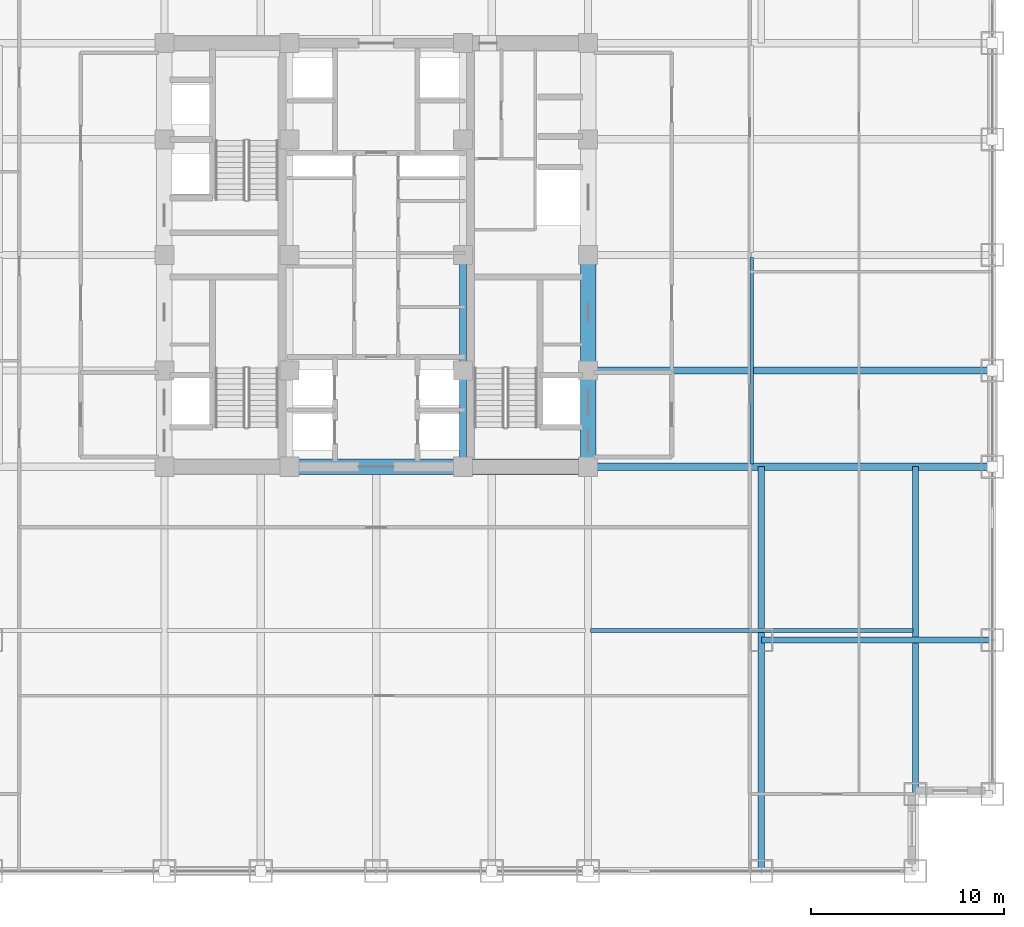
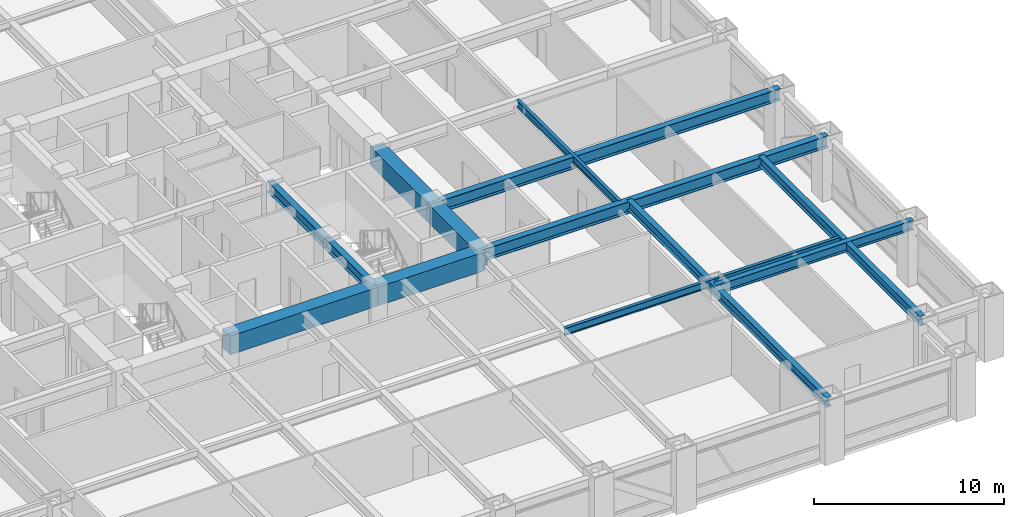
# One storey, part 7 of 28: 13 beams.
"""IFC4 building model written with IfcOpenShell, lengths in metres."""

from ifc_helpers import new_model, si_unit, direction, frame, origin, origin_2d, place, context, subcontext, project, spatial, rectangle, i_section, extrude, source, transform, mapped, material, material_profile, profile_set, type_object, element, save


model = new_model("IFC4")

# Units and contexts
model_context = context("Model", 3, precision=1e-05, world=origin(), true_north=direction((0.0, 1.0)))
body_context = subcontext(model_context, "Body", "Model", "MODEL_VIEW")
ifc_project = project(units=[si_unit("LENGTHUNIT", "METRE"), si_unit("AREAUNIT", "SQUARE_METRE"), si_unit("VOLUMEUNIT", "CUBIC_METRE"), si_unit("PLANEANGLEUNIT", "RADIAN"), si_unit("MASSUNIT", "GRAM", prefix="KILO")], contexts=[model_context])

# Site, building, storey
site_placement = place(None, origin())
site = spatial("IfcSite", under=ifc_project, at=site_placement, CompositionType="ELEMENT")
building_placement = place(site_placement, origin())
building = spatial("IfcBuilding", under=site, at=building_placement, Name="Khorayat Bourse Tower", CompositionType="ELEMENT")
storey_placement = place(building_placement, frame((0.0, 0.0, 120.10009765625)))
storey = spatial("IfcBuildingStorey", under=building, at=storey_placement, Name="L27", CompositionType="ELEMENT", Elevation=120.10009765625)

# Beams
ifc_material_1 = material(Name="Concrete C72/90", Category="concrete")
ifc_material_profile_1 = material_profile(ifc_material_1, rectangle(XDim=0.800048828125, YDim=1.199951171875, at=origin_2d()), Name="RC 800x1200")
ifc_profile_set_1 = profile_set([ifc_material_profile_1], Name="Concrete C72/90")
beam_type_1 = type_object("IfcBeamType", Name="BM-COUP-1200", PredefinedType="BEAM", material=ifc_profile_set_1)
shared_shape_1 = source(origin(), body_context, "Body", "SweptSolid", [
    extrude(rectangle(XDim=0.800048828125, YDim=1.199951171875, at=origin_2d()), origin(), (0.0, 0.0, 1.0), 5.0),
])
beam_1_placement = place(storey_placement, frame((11.0, -11.0, 3.239990234375), z_axis=(0.0, 1.0, 0.0), x_axis=(-1.0, 0.0, 0.0)))
element("IfcBeam", 1, at=beam_1_placement, inside=storey, type_object=beam_type_1, Name="L27 BM-COUP-1200 BM-L27-CRX-13", PredefinedType="BEAM", context=body_context, shape_type="MappedRepresentation", body=[
    mapped(shared_shape_1, transform((0.0, 0.0, 0.0), scale=1.0)),
])
shared_shape_2 = source(origin(), body_context, "Body", "SweptSolid", [
    extrude(rectangle(XDim=0.800048828125, YDim=1.199951171875, at=origin_2d()), origin(), (0.0, 0.0, 1.0), 6.0),
])
beam_2_placement = place(storey_placement, frame((11.0, -6.0, 3.239990234375), z_axis=(0.0, 1.0, 0.0), x_axis=(-1.0, 0.0, 0.0)))
element("IfcBeam", 2, at=beam_2_placement, inside=storey, type_object=beam_type_1, Name="L27 BM-COUP-1200 BM-L27-CRX-14", PredefinedType="BEAM", context=body_context, shape_type="MappedRepresentation", body=[
    mapped(shared_shape_2, transform((0.0, 0.0, 0.0), scale=1.0)),
])
ifc_material_2 = material(Name="Steel ASTM A992 Grade 50", Category="steel")
ifc_material_profile_2 = material_profile(ifc_material_2, i_section(OverallWidth=0.35498046875, OverallDepth=0.695068359375, WebThickness=0.015380859375, FlangeThickness=0.02490234375, FilletRadius=0.01806640625, at=origin_2d()), Name="W690X217")
ifc_profile_set_2 = profile_set([ifc_material_profile_2], Name="Steel ASTM A992 Grade 50")
beam_type_2 = type_object("IfcBeamType", Name="BM-GIRD-690", PredefinedType="BEAM", material=ifc_profile_set_2)
shared_shape_3 = source(origin(), body_context, "Body", "SweptSolid", [
    extrude(i_section(OverallWidth=0.35498046875, OverallDepth=0.695068359375, WebThickness=0.015380859375, FlangeThickness=0.02490234375, FilletRadius=0.01806640625, at=origin_2d()), origin(), (0.0, 0.0, 1.0), 5.0),
])
beam_3_placement = place(storey_placement, frame((4.5, -11.0, 3.492431640625), z_axis=(0.0, 1.0, 0.0), x_axis=(-1.0, 0.0, 0.0)))
element("IfcBeam", 3, at=beam_3_placement, inside=storey, type_object=beam_type_2, Name="L27 BM-GIRD-690 BM-L27-CRX-09", PredefinedType="BEAM", context=body_context, shape_type="MappedRepresentation", body=[
    mapped(shared_shape_3, transform((0.0, 0.0, 0.0), scale=1.0)),
])
shared_shape_4 = source(origin(), body_context, "Body", "SweptSolid", [
    extrude(i_section(OverallWidth=0.35498046875, OverallDepth=0.695068359375, WebThickness=0.015380859375, FlangeThickness=0.02490234375, FilletRadius=0.01806640625, at=origin_2d()), origin(), (0.0, 0.0, 1.0), 6.0),
])
beam_4_placement = place(storey_placement, frame((4.5, -6.0, 3.492431640625), z_axis=(0.0, 1.0, 0.0), x_axis=(-1.0, 0.0, 0.0)))
element("IfcBeam", 4, at=beam_4_placement, inside=storey, type_object=beam_type_2, Name="L27 BM-GIRD-690 BM-L27-CRX-10", PredefinedType="BEAM", context=body_context, shape_type="MappedRepresentation", body=[
    mapped(shared_shape_4, transform((0.0, 0.0, 0.0), scale=1.0)),
])
shared_shape_5 = source(origin(), body_context, "Body", "SweptSolid", [
    extrude(rectangle(XDim=0.800048828125, YDim=1.199951171875, at=origin_2d()), origin(), (0.0, 0.0, 1.0), 6.5),
])
beam_5_placement = place(storey_placement, frame((4.5, -11.0, 3.239990234375), z_axis=(1.0, 0.0, 0.0), x_axis=(0.0, 1.0, 0.0)))
element("IfcBeam", 5, at=beam_5_placement, inside=storey, type_object=beam_type_1, Name="L27 BM-COUP-1200 BM-L27-CRY-19", PredefinedType="BEAM", context=body_context, shape_type="MappedRepresentation", body=[
    mapped(shared_shape_5, transform((0.0, 0.0, 0.0), scale=1.0)),
])
shared_shape_6 = source(origin(), body_context, "Body", "SweptSolid", [
    extrude(rectangle(XDim=0.800048828125, YDim=1.199951171875, at=origin_2d()), origin(), (0.0, 0.0, 1.0), 9.0),
])
beam_6_placement = place(storey_placement, frame((-4.5, -11.0, 3.239990234375), z_axis=(1.0, 0.0, 0.0), x_axis=(0.0, 1.0, 0.0)))
element("IfcBeam", 6, at=beam_6_placement, inside=storey, type_object=beam_type_1, Name="L27 BM-COUP-1200 BM-L27-CRY-18", PredefinedType="BEAM", context=body_context, shape_type="MappedRepresentation", body=[
    mapped(shared_shape_6, transform((0.0, 0.0, 0.0), scale=1.0)),
])
ifc_material_profile_3 = material_profile(ifc_material_2, i_section(OverallWidth=0.324951171875, OverallDepth=0.615966796875, WebThickness=0.013916015625, FlangeThickness=0.021484375, FilletRadius=0.01611328125, at=origin_2d()), Name="W610X174")
ifc_profile_set_3 = profile_set([ifc_material_profile_3], Name="Steel ASTM A992 Grade 50")
beam_type_3 = type_object("IfcBeamType", Name="BM-GIRD-610", PredefinedType="BEAM", material=ifc_profile_set_3)
shared_shape_7 = source(origin(), body_context, "Body", "SweptSolid", [
    extrude(i_section(OverallWidth=0.324951171875, OverallDepth=0.615966796875, WebThickness=0.013916015625, FlangeThickness=0.021484375, FilletRadius=0.01611328125, at=origin_2d()), origin(), (0.0, 0.0, 1.0), 21.0),
])
beam_7_placement = place(storey_placement, frame((20.0, -32.0, 3.531982421875), z_axis=(0.0, 1.0, 0.0), x_axis=(-1.0, 0.0, 0.0)))
element("IfcBeam", 7, at=beam_7_placement, inside=storey, type_object=beam_type_3, Name="L27 BM-GIRD-610 BM-L27-CNRY-086", PredefinedType="BEAM", context=body_context, shape_type="MappedRepresentation", body=[
    mapped(shared_shape_7, transform((0.0, 0.0, 0.0), scale=1.0)),
])
shared_shape_8 = source(origin(), body_context, "Body", "SweptSolid", [
    extrude(i_section(OverallWidth=0.324951171875, OverallDepth=0.615966796875, WebThickness=0.013916015625, FlangeThickness=0.021484375, FilletRadius=0.01611328125, at=origin_2d()), origin(), (0.0, 0.0, 1.0), 12.0),
])
beam_8_placement = place(storey_placement, frame((20.0, -20.0, 3.531982421875), z_axis=(1.0, 0.0, 0.0), x_axis=(0.0, 1.0, 0.0)))
element("IfcBeam", 8, at=beam_8_placement, inside=storey, type_object=beam_type_3, Name="L27 BM-GIRD-610 BM-L27-CNRX-092", PredefinedType="BEAM", context=body_context, shape_type="MappedRepresentation", body=[
    mapped(shared_shape_8, transform((0.0, 0.0, 0.0), scale=1.0)),
])
ifc_material_profile_4 = material_profile(ifc_material_2, i_section(OverallWidth=0.194091796875, OverallDepth=0.468994140625, WebThickness=0.0126953125, FlangeThickness=0.0205078125, FilletRadius=0.012939453125, at=origin_2d()), Name="W460X106")
ifc_profile_set_4 = profile_set([ifc_material_profile_4], Name="Steel ASTM A992 Grade 50")
beam_type_4 = type_object("IfcBeamType", Name="BM-JOIST-460", PredefinedType="JOIST", material=ifc_profile_set_4)
shared_shape_9 = source(origin(), body_context, "Body", "SweptSolid", [
    extrude(i_section(OverallWidth=0.194091796875, OverallDepth=0.468994140625, WebThickness=0.0126953125, FlangeThickness=0.0205078125, FilletRadius=0.012939453125, at=origin_2d()), origin(), (0.0, 0.0, 1.0), 10.740234375),
])
beam_9_placement = place(storey_placement, frame((19.5, -10.8701171875, 3.60546875), z_axis=(0.0, 1.0, 0.0), x_axis=(-1.0, 0.0, 0.0)))
element("IfcBeam", 9, at=beam_9_placement, inside=storey, type_object=beam_type_4, Name="L27 BM-JOIST-460 BM-L27-JSTY-104", PredefinedType="JOIST", context=body_context, shape_type="MappedRepresentation", body=[
    mapped(shared_shape_9, transform((0.0, 0.0, 0.0), scale=1.0)),
])
ifc_material_profile_5 = material_profile(ifc_material_2, i_section(OverallWidth=0.381103515625, OverallDepth=0.77294921875, WebThickness=0.0166015625, FlangeThickness=0.027587890625, FilletRadius=0.01806640625, at=origin_2d()), Name="W760X257")
ifc_profile_set_5 = profile_set([ifc_material_profile_5], Name="Steel ASTM A992 Grade 50")
beam_type_5 = type_object("IfcBeamType", Name="BM-GIRD-760", PredefinedType="BEAM", material=ifc_profile_set_5)
shared_shape_10 = source(origin(), body_context, "Body", "SweptSolid", [
    extrude(i_section(OverallWidth=0.381103515625, OverallDepth=0.77294921875, WebThickness=0.0166015625, FlangeThickness=0.027587890625, FilletRadius=0.01806640625, at=origin_2d()), origin(), (0.0, 0.0, 1.0), 21.0),
])
for number, where, z_axis, x_axis, name in (
    (10, (11.0, -11.0, 3.453369140625), (1.0, 0.0, 0.0), (0.0, 1.0, 0.0), "L27 BM-GIRD-760 BM-L27-RADX-074"),
    (11, (11.0, -6.0, 3.453369140625), (1.0, 0.0, 0.0), (0.0, 1.0, 0.0), "L27 BM-GIRD-760 BM-L27-RADX-076"),
):
    element("IfcBeam", number, at=place(storey_placement, frame(where, z_axis=z_axis, x_axis=x_axis)), inside=storey, type_object=beam_type_5, Name=name, PredefinedType="BEAM", context=body_context, shape_type="MappedRepresentation", body=[
        mapped(shared_shape_10, transform((0.0, 0.0, 0.0), scale=1.0)),
    ])
shared_shape_11 = source(origin(), body_context, "Body", "SweptSolid", [
    extrude(i_section(OverallWidth=0.324951171875, OverallDepth=0.615966796875, WebThickness=0.013916015625, FlangeThickness=0.021484375, FilletRadius=0.01611328125, at=origin_2d()), origin(), (0.0, 0.0, 1.0), 17.0),
])
beam_10_placement = place(storey_placement, frame((28.0, -28.0, 3.531982421875), z_axis=(0.0, 1.0, 0.0), x_axis=(-1.0, 0.0, 0.0)))
element("IfcBeam", 12, at=beam_10_placement, inside=storey, type_object=beam_type_3, Name="L27 BM-GIRD-610 BM-L27-CNRY-090", PredefinedType="BEAM", context=body_context, shape_type="MappedRepresentation", body=[
    mapped(shared_shape_11, transform((0.0, 0.0, 0.0), scale=1.0)),
])
shared_shape_12 = source(origin(), body_context, "Body", "SweptSolid", [
    extrude(i_section(OverallWidth=0.194091796875, OverallDepth=0.468994140625, WebThickness=0.0126953125, FlangeThickness=0.0205078125, FilletRadius=0.012939453125, at=origin_2d()), origin(), (0.0, 0.0, 1.0), 16.740234375),
])
beam_11_placement = place(storey_placement, frame((11.1298828125, -19.5, 3.60546875), z_axis=(1.0, 0.0, 0.0), x_axis=(0.0, 1.0, 0.0)))
element("IfcBeam", 13, at=beam_11_placement, inside=storey, type_object=beam_type_4, Name="L27 BM-JOIST-460 BM-L27-JSTX-098", PredefinedType="JOIST", context=body_context, shape_type="MappedRepresentation", body=[
    mapped(shared_shape_12, transform((0.0, 0.0, 0.0), scale=1.0)),
])

save(model, "model.ifc")
